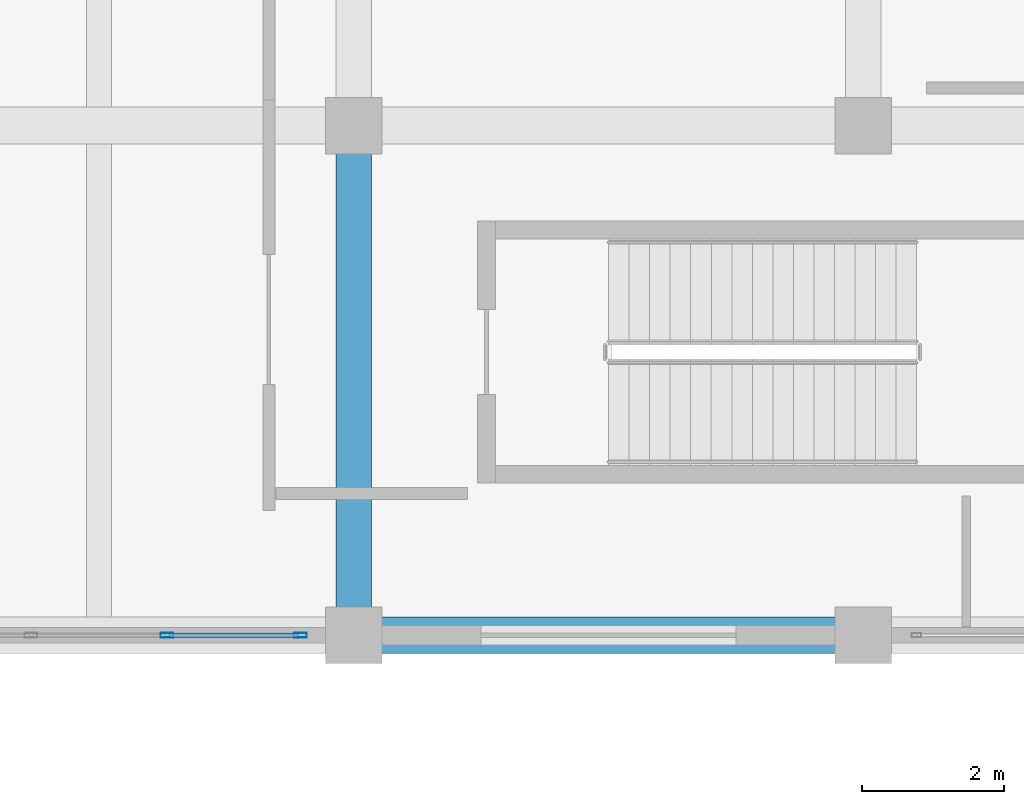
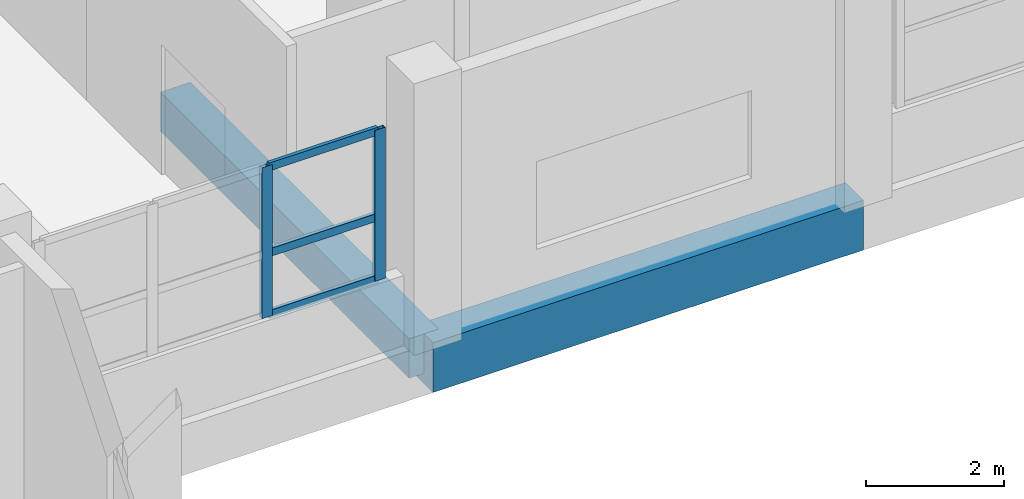
# One storey, part 65 of 140: 5 members, 2 beams, 1 element without a shape of its own.
"""IFC4 building model written with IfcOpenShell, lengths in metres."""

from ifc_helpers import new_model, si_unit, direction, frame, origin, origin_2d, place, context, subcontext, project, spatial, rectangle, hollow_rectangle, extrude, material, layer, layer_set, material_profile, profile_set, type_object, element, aggregate, save


model = new_model("IFC4")

# Units and contexts
model_context = context("Model", 3, precision=1e-05, world=origin(), true_north=direction((0.0, 1.0)))
body_context = subcontext(model_context, "Body", "Model", "MODEL_VIEW")
ifc_project = project(units=[si_unit("LENGTHUNIT", "METRE"), si_unit("AREAUNIT", "SQUARE_METRE"), si_unit("VOLUMEUNIT", "CUBIC_METRE"), si_unit("PLANEANGLEUNIT", "RADIAN"), si_unit("MASSUNIT", "GRAM", prefix="KILO")], contexts=[model_context])

# Site, building, storey
site_placement = place(None, origin())
site = spatial("IfcSite", under=ifc_project, at=site_placement, CompositionType="ELEMENT")
building_placement = place(site_placement, origin())
building = spatial("IfcBuilding", under=site, at=building_placement, Name="Seraya Terrace Polytechnic", CompositionType="ELEMENT")
storey_placement = place(building_placement, frame((0.0, 0.0, 9.60009765625)))
storey = spatial("IfcBuildingStorey", under=building, at=storey_placement, Name="L02", CompositionType="ELEMENT", Elevation=9.60009765625)

# Beams
ifc_material_1 = material(Name="Concrete C40/50", Category="concrete")
ifc_material_profile_1 = material_profile(ifc_material_1, rectangle(XDim=0.52001953125, YDim=0.8798828125, at=origin_2d()), Name="RC 520x880")
ifc_profile_set_1 = profile_set([ifc_material_profile_1], Name="Concrete C40/50")
beam_type_1 = type_object("IfcBeamType", Name="BM-04", PredefinedType="BEAM", material=ifc_profile_set_1)
beam_1_placement = place(storey_placement, frame((50.39990234375, 64.800048828125, -0.440185546875), z_axis=(1.0, 0.0, 0.0), x_axis=(0.0, 1.0, 0.0)))
element("IfcBeam", 1, at=beam_1_placement, inside=storey, type_object=beam_type_1, Name="Beam BM-04 L02 X (50.4..57.6, 64.8)", PredefinedType="BEAM", context=body_context, shape_type="SweptSolid", body=[
    extrude(rectangle(XDim=0.52001953125, YDim=0.8798828125, at=origin_2d()), origin(), (0.0, 0.0, 1.0), 7.2001953125),
])
ifc_material_profile_2 = material_profile(ifc_material_1, rectangle(XDim=0.5, YDim=0.699951171875, at=origin_2d()), Name="RC 500x700")
ifc_profile_set_2 = profile_set([ifc_material_profile_2], Name="Concrete C40/50")
beam_type_2 = type_object("IfcBeamType", Name="BM-07", PredefinedType="BEAM", material=ifc_profile_set_2)
beam_2_placement = place(storey_placement, frame((50.39990234375, 64.800048828125, -0.35009765625), z_axis=(0.0, 1.0, 0.0), x_axis=(-1.0, 0.0, 0.0)))
element("IfcBeam", 2, at=beam_2_placement, inside=storey, type_object=beam_type_2, Name="Beam BM-07 L02 Y (50.4, 64.8..72.0)", PredefinedType="BEAM", context=body_context, shape_type="SweptSolid", body=[
    extrude(rectangle(XDim=0.5, YDim=0.699951171875, at=origin_2d()), origin(), (0.0, 0.0, 1.0), 7.199951171875),
])

# Curtain wall, members
ifc_material_2 = material(Name="Anodised aluminium EN AW-6063 T6", Category="aluminium")
ifc_layer = layer(ifc_material_2, 0.179931640625, Name="CW-13")
ifc_layer_set = layer_set([ifc_layer], Name="Anodised aluminium EN AW-6063 T6")
curtain_wall_type = type_object("IfcCurtainWallType", Name="CW-13", PredefinedType="NOTDEFINED", material=ifc_layer_set)
curtain_wall_placement = place(storey_placement, origin())
curtain_wall = element("IfcCurtainWall", 3, at=curtain_wall_placement, inside=storey, type_object=curtain_wall_type, Name="Unitised curtain wall CW-13 (CW-L02-085)", PredefinedType="NOTDEFINED")
ifc_material_profile_3 = material_profile(ifc_material_2, hollow_rectangle(XDim=0.06494140625, YDim=0.179931640625, WallThickness=0.00390625, at=origin_2d()), Name="RHS 180x65x4.0")
ifc_profile_set_3 = profile_set([ifc_material_profile_3], Name="Anodised aluminium EN AW-6063 T6")
member_type_1 = type_object("IfcMemberType", Name="CWM-01", PredefinedType="MULLION", material=ifc_profile_set_3)
member_1_placement = place(storey_placement, frame((49.6474609375, 64.800048828125, 1.239990234375), z_axis=(0.0, 0.0, 1.0), x_axis=(0.0, -1.0, 0.0)))
member_1 = element("IfcMember", 4, at=member_1_placement, type_object=member_type_1, Name="CW-13 mullion 1", PredefinedType="MULLION", context=body_context, shape_type="SweptSolid", body=[
    extrude(hollow_rectangle(XDim=0.06494140625, YDim=0.179931640625, WallThickness=0.00390625, at=origin_2d()), origin(), (0.0, 0.0, 1.0), 2.669921875),
])
member_2_placement = place(storey_placement, frame((47.760009765625, 64.800048828125, 1.239990234375), z_axis=(0.0, 0.0, 1.0), x_axis=(0.0, -1.0, 0.0)))
member_2 = element("IfcMember", 5, at=member_2_placement, type_object=member_type_1, Name="CW-13 mullion 2", PredefinedType="MULLION", context=body_context, shape_type="SweptSolid", body=[
    extrude(hollow_rectangle(XDim=0.06494140625, YDim=0.179931640625, WallThickness=0.00390625, at=origin_2d()), origin(), (0.0, 0.0, 1.0), 2.669921875),
])
ifc_material_profile_4 = material_profile(ifc_material_2, hollow_rectangle(XDim=0.06005859375, YDim=0.139892578125, WallThickness=0.00341796875, at=origin_2d()), Name="RHS 140x60x3.5")
ifc_profile_set_4 = profile_set([ifc_material_profile_4], Name="Anodised aluminium EN AW-6063 T6")
member_type_2 = type_object("IfcMemberType", Name="CWT-01", PredefinedType="USERDEFINED", material=ifc_profile_set_4)
member_3_placement = place(storey_placement, frame((49.614990234375, 64.800048828125, 1.27001953125), z_axis=(-1.0, 0.0, 0.0), x_axis=(0.0, -1.0, 0.0)))
member_3 = element("IfcMember", 6, at=member_3_placement, type_object=member_type_2, Name="CW-13 transom 1.1", ObjectType="TRANSOM", PredefinedType="USERDEFINED", context=body_context, shape_type="SweptSolid", body=[
    extrude(hollow_rectangle(XDim=0.06005859375, YDim=0.139892578125, WallThickness=0.00341796875, at=origin_2d()), origin(), (0.0, 0.0, 1.0), 1.822509765625),
])
member_4_placement = place(storey_placement, frame((49.614990234375, 64.800048828125, 2.361328125), z_axis=(-1.0, 0.0, 0.0), x_axis=(0.0, -1.0, 0.0)))
member_4 = element("IfcMember", 7, at=member_4_placement, type_object=member_type_2, Name="CW-13 transom 1.2", ObjectType="TRANSOM", PredefinedType="USERDEFINED", context=body_context, shape_type="SweptSolid", body=[
    extrude(hollow_rectangle(XDim=0.06005859375, YDim=0.139892578125, WallThickness=0.00341796875, at=origin_2d()), origin(), (0.0, 0.0, 1.0), 1.822509765625),
])
member_5_placement = place(storey_placement, frame((49.614990234375, 64.800048828125, 3.8798828125), z_axis=(-1.0, 0.0, 0.0), x_axis=(0.0, -1.0, 0.0)))
member_5 = element("IfcMember", 8, at=member_5_placement, type_object=member_type_2, Name="CW-13 transom 1.3", ObjectType="TRANSOM", PredefinedType="USERDEFINED", context=body_context, shape_type="SweptSolid", body=[
    extrude(hollow_rectangle(XDim=0.06005859375, YDim=0.139892578125, WallThickness=0.00341796875, at=origin_2d()), origin(), (0.0, 0.0, 1.0), 1.822509765625),
])
aggregate(curtain_wall, [member_1, member_2, member_3, member_4, member_5])

save(model, "model.ifc")
